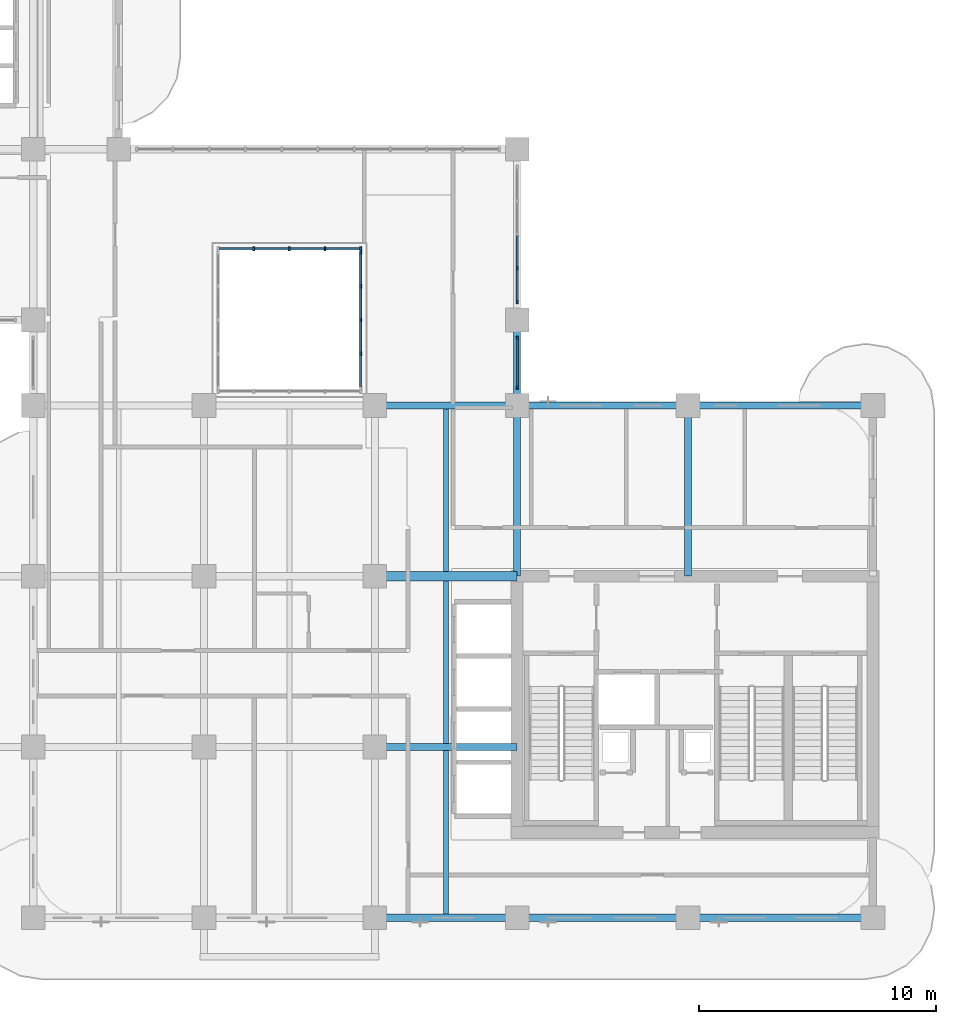
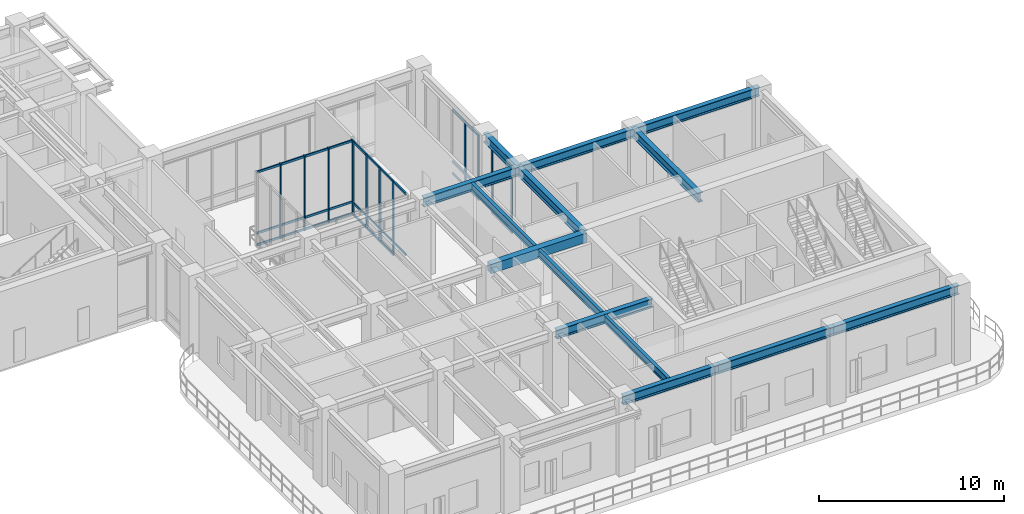
# One storey, part 3 of 21: 44 members, 14 beams, 4 elements without a shape of their own.
"""IFC4 building model written with IfcOpenShell, lengths in metres."""

from ifc_helpers import new_model, si_unit, derived_unit, direction, frame, origin, origin_2d, place, context, subcontext, project, spatial, rectangle, i_section, extrude, source, transform, mapped, material, layer, layer_set, material_profile, profile_set, type_object, type_shapes, element, aggregate, save


model = new_model("IFC4")

# Units and contexts
model_context = context("Model", 3, precision=1e-05, world=origin(), true_north=direction((0.0, 1.0)))
body_context = subcontext(model_context, "Body", "Model", "MODEL_VIEW")
ifc_project = project(units=[si_unit("LENGTHUNIT", "METRE"), si_unit("AREAUNIT", "SQUARE_METRE"), si_unit("VOLUMEUNIT", "CUBIC_METRE"), si_unit("PLANEANGLEUNIT", "RADIAN"), si_unit("MASSUNIT", "GRAM", prefix="KILO"), si_unit("THERMODYNAMICTEMPERATUREUNIT", "KELVIN"), si_unit("POWERUNIT", "WATT"), derived_unit("THERMALTRANSMITTANCEUNIT", [(si_unit("POWERUNIT", "WATT"), 1), (si_unit("AREAUNIT", "SQUARE_METRE"), -1), (si_unit("THERMODYNAMICTEMPERATUREUNIT", "KELVIN"), -1)])], contexts=[model_context])

# Site, building, storey
site_placement = place(None, origin())
site = spatial("IfcSite", under=ifc_project, at=site_placement, CompositionType="ELEMENT")
building_placement = place(site_placement, origin())
building = spatial("IfcBuilding", under=site, at=building_placement, Name="Zahravan Archway Hotel and Residences", CompositionType="ELEMENT")
storey_placement = place(building_placement, frame((0.0, 0.0, 145.10009765625)))
storey = spatial("IfcBuildingStorey", under=building, at=storey_placement, Name="L36", CompositionType="ELEMENT", Elevation=145.10009765625)

# Beams
ifc_material_1 = material(Name="Concrete C60/75", Category="concrete")
ifc_material_profile_1 = material_profile(ifc_material_1, rectangle(XDim=0.39990234375, YDim=0.60009765625, at=origin_2d()), Name="RC-LNT-400x600", Category="concrete")
ifc_profile_set_1 = profile_set([ifc_material_profile_1], Name="Concrete C60/75")
beam_type_1 = type_object("IfcBeamType", Name="LNT-RC-400x600", PredefinedType="LINTEL", material=ifc_profile_set_1)
shared_shape_1 = source(origin(), body_context, "Body", "SweptSolid", [
    extrude(rectangle(XDim=0.39990234375, YDim=0.60009765625, at=origin_2d()), origin(), (0.0, 0.0, 1.0), 6.0),
])
type_shapes(beam_type_1, [shared_shape_1])
beam_1_placement = place(storey_placement, frame((28.800048828125, 14.39990234375, 4.64990234375), z_axis=(1.0, 0.0, 0.0), x_axis=(0.0, 1.0, 0.0)))
element("IfcBeam", 1, at=beam_1_placement, inside=storey, type_object=beam_type_1, Name="L36 Core A Coupling Lintel Beam", PredefinedType="LINTEL", context=body_context, shape_type="MappedRepresentation", body=[
    mapped(shared_shape_1, transform((0.0, 0.0, 0.0), scale=1.0)),
])
ifc_material_2 = material(Name="Structural Steel S355JR", Category="steel")
ifc_material_profile_2 = material_profile(ifc_material_2, i_section(OverallWidth=0.300048828125, OverallDepth=0.60009765625, WebThickness=0.015380859375, FlangeThickness=0.030029296875, FilletRadius=0.027099609375, at=origin_2d()), Name="HEB 600", Category="steel")
ifc_profile_set_2 = profile_set([ifc_material_profile_2], Name="Structural Steel S355JR")
beam_type_2 = type_object("IfcBeamType", Name="BM-PRI-HEB600", PredefinedType="BEAM", material=ifc_profile_set_2)
shared_shape_2 = source(origin(), body_context, "Body", "SweptSolid", [
    extrude(i_section(OverallWidth=0.300048828125, OverallDepth=0.60009765625, WebThickness=0.015380859375, FlangeThickness=0.030029296875, FilletRadius=0.027099609375, at=origin_2d()), origin(), (0.0, 0.0, 1.0), 7.2001953125),
])
type_shapes(beam_type_2, [shared_shape_2])
for number, where, z_axis, x_axis, name in (
    (2, (34.800048828125, 14.39990234375, 4.64990234375), (0.0, 1.0, 0.0), (-1.0, 0.0, 0.0), "L36 Primary Girder NS-41"),
    (3, (42.0, 14.39990234375, 4.64990234375), (0.0, 1.0, 0.0), (-1.0, 0.0, 0.0), "L36 Primary Girder NS-44"),
):
    element("IfcBeam", number, at=place(storey_placement, frame(where, z_axis=z_axis, x_axis=x_axis)), inside=storey, type_object=beam_type_2, Name=name, PredefinedType="BEAM", context=body_context, shape_type="MappedRepresentation", body=[
        mapped(shared_shape_2, transform((0.0, 0.0, 0.0), scale=1.0)),
    ])
shared_shape_3 = source(origin(), body_context, "Body", "SweptSolid", [
    extrude(i_section(OverallWidth=0.300048828125, OverallDepth=0.60009765625, WebThickness=0.015380859375, FlangeThickness=0.030029296875, FilletRadius=0.027099609375, at=origin_2d()), origin(), (0.0, 0.0, 1.0), 7.199951171875),
])
for number, where, z_axis, x_axis, name in (
    (4, (34.800048828125, 0.0, 4.64990234375), (1.0, 0.0, 0.0), (0.0, 1.0, 0.0), "L36 Primary Girder EW-04"),
    (5, (34.800048828125, 21.60009765625, 4.64990234375), (1.0, 0.0, 0.0), (0.0, 1.0, 0.0), "L36 Primary Girder EW-14"),
):
    element("IfcBeam", number, at=place(storey_placement, frame(where, z_axis=z_axis, x_axis=x_axis)), inside=storey, type_object=beam_type_2, Name=name, PredefinedType="BEAM", context=body_context, shape_type="MappedRepresentation", body=[
        mapped(shared_shape_3, transform((0.0, 0.0, 0.0), scale=1.0)),
    ])
shared_shape_4 = source(origin(), body_context, "Body", "SweptSolid", [
    extrude(i_section(OverallWidth=0.300048828125, OverallDepth=0.60009765625, WebThickness=0.015380859375, FlangeThickness=0.030029296875, FilletRadius=0.027099609375, at=origin_2d()), origin(), (0.0, 0.0, 1.0), 6.0),
])
for number, where, z_axis, x_axis, name in (
    (6, (28.800048828125, 0.0, 4.64990234375), (1.0, 0.0, 0.0), (0.0, 1.0, 0.0), "L36 Primary Girder EW-03"),
    (7, (28.800048828125, 7.199951171875, 4.64990234375), (1.0, 0.0, 0.0), (0.0, 1.0, 0.0), "L36 Primary Girder EW-08"),
    (8, (28.800048828125, 21.60009765625, 4.64990234375), (1.0, 0.0, 0.0), (0.0, 1.0, 0.0), "L36 Primary Girder EW-13"),
):
    element("IfcBeam", number, at=place(storey_placement, frame(where, z_axis=z_axis, x_axis=x_axis)), inside=storey, type_object=beam_type_2, Name=name, PredefinedType="BEAM", context=body_context, shape_type="MappedRepresentation", body=[
        mapped(shared_shape_4, transform((0.0, 0.0, 0.0), scale=1.0)),
    ])
shared_shape_5 = source(origin(), body_context, "Body", "SweptSolid", [
    extrude(i_section(OverallWidth=0.300048828125, OverallDepth=0.60009765625, WebThickness=0.015380859375, FlangeThickness=0.030029296875, FilletRadius=0.027099609375, at=origin_2d()), origin(), (0.0, 0.0, 1.0), 7.800048828125),
])
for number, where, z_axis, x_axis, name in (
    (9, (42.0, 0.0, 4.64990234375), (1.0, 0.0, 0.0), (0.0, 1.0, 0.0), "L36 Primary Girder EW-05"),
    (10, (42.0, 21.60009765625, 4.64990234375), (1.0, 0.0, 0.0), (0.0, 1.0, 0.0), "L36 Primary Girder EW-15"),
):
    element("IfcBeam", number, at=place(storey_placement, frame(where, z_axis=z_axis, x_axis=x_axis)), inside=storey, type_object=beam_type_2, Name=name, PredefinedType="BEAM", context=body_context, shape_type="MappedRepresentation", body=[
        mapped(shared_shape_5, transform((0.0, 0.0, 0.0), scale=1.0)),
    ])
shared_shape_6 = source(origin(), body_context, "Body", "SweptSolid", [
    extrude(i_section(OverallWidth=0.300048828125, OverallDepth=0.60009765625, WebThickness=0.015380859375, FlangeThickness=0.030029296875, FilletRadius=0.027099609375, at=origin_2d()), origin(), (0.0, 0.0, 1.0), 3.599853515625),
])
beam_2_placement = place(storey_placement, frame((34.800048828125, 21.60009765625, 4.64990234375), z_axis=(0.0, 1.0, 0.0), x_axis=(-1.0, 0.0, 0.0)))
element("IfcBeam", 11, at=beam_2_placement, inside=storey, type_object=beam_type_2, Name="L36 Primary Girder NS-42", PredefinedType="BEAM", context=body_context, shape_type="MappedRepresentation", body=[
    mapped(shared_shape_6, transform((0.0, 0.0, 0.0), scale=1.0)),
])
ifc_material_profile_3 = material_profile(ifc_material_2, i_section(OverallWidth=0.199951171875, OverallDepth=0.5, WebThickness=0.01025390625, FlangeThickness=0.01611328125, FilletRadius=0.02099609375, at=origin_2d()), Name="IPE 500", Category="steel")
ifc_profile_set_3 = profile_set([ifc_material_profile_3], Name="Structural Steel S355JR")
beam_type_3 = type_object("IfcBeamType", Name="BM-JST-IPE500", PredefinedType="JOIST", material=ifc_profile_set_3)
shared_shape_7 = source(origin(), body_context, "Body", "SweptSolid", [
    extrude(i_section(OverallWidth=0.199951171875, OverallDepth=0.5, WebThickness=0.01025390625, FlangeThickness=0.01611328125, FilletRadius=0.02099609375, at=origin_2d()), origin(), (0.0, 0.0, 1.0), 6.904052734375),
])
type_shapes(beam_type_3, [shared_shape_7])
beam_3_placement = place(storey_placement, frame((31.800048828125, 0.14794921875, 4.699951171875), z_axis=(0.0, 1.0, 0.0), x_axis=(-1.0, 0.0, 0.0)))
element("IfcBeam", 12, at=beam_3_placement, inside=storey, type_object=beam_type_3, Name="L36 Composite Floor Joist 03", PredefinedType="JOIST", context=body_context, shape_type="MappedRepresentation", body=[
    mapped(shared_shape_7, transform((0.0, 0.0, 0.0), scale=1.0)),
])
shared_shape_8 = source(origin(), body_context, "Body", "SweptSolid", [
    extrude(i_section(OverallWidth=0.199951171875, OverallDepth=0.5, WebThickness=0.01025390625, FlangeThickness=0.01611328125, FilletRadius=0.02099609375, at=origin_2d()), origin(), (0.0, 0.0, 1.0), 6.85400390625),
])
for number, where, z_axis, x_axis, name in (
    (13, (31.800048828125, 7.347900390625, 4.699951171875), (0.0, 1.0, 0.0), (-1.0, 0.0, 0.0), "L36 Composite Floor Joist 06"),
    (14, (31.800048828125, 14.597900390625, 4.699951171875), (0.0, 1.0, 0.0), (-1.0, 0.0, 0.0), "L36 Composite Floor Joist 07"),
):
    element("IfcBeam", number, at=place(storey_placement, frame(where, z_axis=z_axis, x_axis=x_axis)), inside=storey, type_object=beam_type_3, Name=name, PredefinedType="JOIST", context=body_context, shape_type="MappedRepresentation", body=[
        mapped(shared_shape_8, transform((0.0, 0.0, 0.0), scale=1.0)),
    ])

# Curtain wall, members
ifc_material_3 = material(Name="Bronze-Anodized Unitised Aluminium & Low-E Glass", Category="aluminium")
ifc_layer_1 = layer(ifc_material_3, 0.179931640625, Name="Bronze-Anodized Unitised Aluminium & Low-E Glass", Category="aluminium")
ifc_layer_set_1 = layer_set([ifc_layer_1], Name="Bronze-Anodized Unitised Aluminium & Low-E Glass")
curtain_wall_type_1 = type_object("IfcCurtainWallType", Name="CW-SBG-2", PredefinedType="NOTDEFINED", material=ifc_layer_set_1)
curtain_wall_1_placement = place(storey_placement, origin())
curtain_wall_1 = element("IfcCurtainWall", 15, at=curtain_wall_1_placement, inside=storey, type_object=curtain_wall_type_1, Name="L36 Curtain Wall CW-L36-HNG-E-2", PredefinedType="NOTDEFINED")
ifc_material_4 = material(Name="Bronze-Anodized Extruded Aluminium", Category="aluminium")
ifc_material_profile_4 = material_profile(ifc_material_4, rectangle(XDim=0.080078125, YDim=0.139892578125, at=origin_2d()), Name="TRN 80x140", Category="aluminium")
ifc_profile_set_4 = profile_set([ifc_material_profile_4], Name="Bronze-Anodized Extruded Aluminium")
member_type_1 = type_object("IfcMemberType", Name="CWM-TRN-140", PredefinedType="USERDEFINED", material=ifc_profile_set_4)
shared_shape_9 = source(origin(), body_context, "Body", "SweptSolid", [
    extrude(rectangle(XDim=0.080078125, YDim=0.139892578125, at=origin_2d()), origin(), (0.0, 0.0, 1.0), 1.340087890625),
])
member_1_placement = place(storey_placement, frame((34.800048828125, 26.0, 0.06982421875), z_axis=(0.0, 1.0, 0.0), x_axis=(-1.0, 0.0, 0.0)))
member_1 = element("IfcMember", 16, at=member_1_placement, type_object=member_type_1, Name="CW-L36-HNG-E-2 Transom 0-1", ObjectType="TRANSOM", PredefinedType="USERDEFINED", context=body_context, shape_type="MappedRepresentation", body=[
    mapped(shared_shape_9, transform((0.0, 0.0, 0.0), scale=1.0)),
])
member_2_placement = place(storey_placement, frame((34.800048828125, 26.0, 0.849853515625), z_axis=(0.0, 1.0, 0.0), x_axis=(-1.0, 0.0, 0.0)))
member_2 = element("IfcMember", 17, at=member_2_placement, type_object=member_type_1, Name="CW-L36-HNG-E-2 Transom 0-2", ObjectType="TRANSOM", PredefinedType="USERDEFINED", context=body_context, shape_type="MappedRepresentation", body=[
    mapped(shared_shape_9, transform((0.0, 0.0, 0.0), scale=1.0)),
])
member_3_placement = place(storey_placement, frame((34.800048828125, 26.0, 4.264892578125), z_axis=(0.0, 1.0, 0.0), x_axis=(-1.0, 0.0, 0.0)))
member_3 = element("IfcMember", 18, at=member_3_placement, type_object=member_type_1, Name="CW-L36-HNG-E-2 Transom 0-3", ObjectType="TRANSOM", PredefinedType="USERDEFINED", context=body_context, shape_type="MappedRepresentation", body=[
    mapped(shared_shape_9, transform((0.0, 0.0, 0.0), scale=1.0)),
])
member_4_placement = place(storey_placement, frame((34.800048828125, 27.419921875, 0.06982421875), z_axis=(0.0, 1.0, 0.0), x_axis=(-1.0, 0.0, 0.0)))
member_4 = element("IfcMember", 19, at=member_4_placement, type_object=member_type_1, Name="CW-L36-HNG-E-2 Transom 1-1", ObjectType="TRANSOM", PredefinedType="USERDEFINED", context=body_context, shape_type="MappedRepresentation", body=[
    mapped(shared_shape_9, transform((0.0, 0.0, 0.0), scale=1.0)),
])
member_5_placement = place(storey_placement, frame((34.800048828125, 27.419921875, 0.849853515625), z_axis=(0.0, 1.0, 0.0), x_axis=(-1.0, 0.0, 0.0)))
member_5 = element("IfcMember", 20, at=member_5_placement, type_object=member_type_1, Name="CW-L36-HNG-E-2 Transom 1-2", ObjectType="TRANSOM", PredefinedType="USERDEFINED", context=body_context, shape_type="MappedRepresentation", body=[
    mapped(shared_shape_9, transform((0.0, 0.0, 0.0), scale=1.0)),
])
member_6_placement = place(storey_placement, frame((34.800048828125, 27.419921875, 4.264892578125), z_axis=(0.0, 1.0, 0.0), x_axis=(-1.0, 0.0, 0.0)))
member_6 = element("IfcMember", 21, at=member_6_placement, type_object=member_type_1, Name="CW-L36-HNG-E-2 Transom 1-3", ObjectType="TRANSOM", PredefinedType="USERDEFINED", context=body_context, shape_type="MappedRepresentation", body=[
    mapped(shared_shape_9, transform((0.0, 0.0, 0.0), scale=1.0)),
])

curtain_wall_2_placement = place(storey_placement, origin())
curtain_wall_2 = element("IfcCurtainWall", 22, at=curtain_wall_2_placement, inside=storey, type_object=curtain_wall_type_1, Name="L36 Curtain Wall CW-L36-HNG-E-1", PredefinedType="NOTDEFINED")
shared_shape_10 = source(origin(), body_context, "Body", "SweptSolid", [
    extrude(rectangle(XDim=0.080078125, YDim=0.139892578125, at=origin_2d()), origin(), (0.0, 0.0, 1.0), 2.0),
])
member_7_placement = place(storey_placement, frame((34.800048828125, 22.39990234375, 0.06982421875), z_axis=(0.0, 1.0, 0.0), x_axis=(-1.0, 0.0, 0.0)))
member_7 = element("IfcMember", 23, at=member_7_placement, type_object=member_type_1, Name="CW-L36-HNG-E-1 Transom 0-1", ObjectType="TRANSOM", PredefinedType="USERDEFINED", context=body_context, shape_type="MappedRepresentation", body=[
    mapped(shared_shape_10, transform((0.0, 0.0, 0.0), scale=1.0)),
])
member_8_placement = place(storey_placement, frame((34.800048828125, 22.39990234375, 0.849853515625), z_axis=(0.0, 1.0, 0.0), x_axis=(-1.0, 0.0, 0.0)))
member_8 = element("IfcMember", 24, at=member_8_placement, type_object=member_type_1, Name="CW-L36-HNG-E-1 Transom 0-2", ObjectType="TRANSOM", PredefinedType="USERDEFINED", context=body_context, shape_type="MappedRepresentation", body=[
    mapped(shared_shape_10, transform((0.0, 0.0, 0.0), scale=1.0)),
])
member_9_placement = place(storey_placement, frame((34.800048828125, 22.39990234375, 4.264892578125), z_axis=(0.0, 1.0, 0.0), x_axis=(-1.0, 0.0, 0.0)))
member_9 = element("IfcMember", 25, at=member_9_placement, type_object=member_type_1, Name="CW-L36-HNG-E-1 Transom 0-3", ObjectType="TRANSOM", PredefinedType="USERDEFINED", context=body_context, shape_type="MappedRepresentation", body=[
    mapped(shared_shape_10, transform((0.0, 0.0, 0.0), scale=1.0)),
])

ifc_layer_2 = layer(ifc_material_3, 0.179931640625, Name="Bronze-Anodized Unitised Aluminium & Low-E Glass", Category="aluminium")
ifc_layer_set_2 = layer_set([ifc_layer_2], Name="Bronze-Anodized Unitised Aluminium & Low-E Glass")
curtain_wall_type_2 = type_object("IfcCurtainWallType", Name="CW-ATR-GLAZ", PredefinedType="NOTDEFINED", material=ifc_layer_set_2)
curtain_wall_3_placement = place(storey_placement, origin())
curtain_wall_3 = element("IfcCurtainWall", 26, at=curtain_wall_3_placement, inside=storey, type_object=curtain_wall_type_2, Name="L36 Curtain Wall CW-ATR-L36-N-1", PredefinedType="NOTDEFINED")
shared_shape_11 = source(origin(), body_context, "Body", "SweptSolid", [
    extrude(rectangle(XDim=0.080078125, YDim=0.139892578125, at=origin_2d()), origin(), (0.0, 0.0, 1.0), 1.419921875),
])
member_10_placement = place(storey_placement, frame((22.239990234375, 28.199951171875, 0.06982421875), z_axis=(1.0, 0.0, 0.0), x_axis=(0.0, 1.0, 0.0)))
member_10 = element("IfcMember", 27, at=member_10_placement, type_object=member_type_1, Name="CW-ATR-L36-N-1 Transom 0-1", ObjectType="TRANSOM", PredefinedType="USERDEFINED", context=body_context, shape_type="MappedRepresentation", body=[
    mapped(shared_shape_11, transform((0.0, 0.0, 0.0), scale=1.0)),
])
member_11_placement = place(storey_placement, frame((22.239990234375, 28.199951171875, 0.849853515625), z_axis=(1.0, 0.0, 0.0), x_axis=(0.0, 1.0, 0.0)))
member_11 = element("IfcMember", 28, at=member_11_placement, type_object=member_type_1, Name="CW-ATR-L36-N-1 Transom 0-2", ObjectType="TRANSOM", PredefinedType="USERDEFINED", context=body_context, shape_type="MappedRepresentation", body=[
    mapped(shared_shape_11, transform((0.0, 0.0, 0.0), scale=1.0)),
])
member_12_placement = place(storey_placement, frame((22.239990234375, 28.199951171875, 4.8798828125), z_axis=(1.0, 0.0, 0.0), x_axis=(0.0, 1.0, 0.0)))
member_12 = element("IfcMember", 29, at=member_12_placement, type_object=member_type_1, Name="CW-ATR-L36-N-1 Transom 0-3", ObjectType="TRANSOM", PredefinedType="USERDEFINED", context=body_context, shape_type="MappedRepresentation", body=[
    mapped(shared_shape_11, transform((0.0, 0.0, 0.0), scale=1.0)),
])
member_13_placement = place(storey_placement, frame((23.739990234375, 28.199951171875, 0.06982421875), z_axis=(1.0, 0.0, 0.0), x_axis=(0.0, 1.0, 0.0)))
member_13 = element("IfcMember", 30, at=member_13_placement, type_object=member_type_1, Name="CW-ATR-L36-N-1 Transom 1-1", ObjectType="TRANSOM", PredefinedType="USERDEFINED", context=body_context, shape_type="MappedRepresentation", body=[
    mapped(shared_shape_11, transform((0.0, 0.0, 0.0), scale=1.0)),
])
member_14_placement = place(storey_placement, frame((23.739990234375, 28.199951171875, 0.849853515625), z_axis=(1.0, 0.0, 0.0), x_axis=(0.0, 1.0, 0.0)))
member_14 = element("IfcMember", 31, at=member_14_placement, type_object=member_type_1, Name="CW-ATR-L36-N-1 Transom 1-2", ObjectType="TRANSOM", PredefinedType="USERDEFINED", context=body_context, shape_type="MappedRepresentation", body=[
    mapped(shared_shape_11, transform((0.0, 0.0, 0.0), scale=1.0)),
])
member_15_placement = place(storey_placement, frame((23.739990234375, 28.199951171875, 4.8798828125), z_axis=(1.0, 0.0, 0.0), x_axis=(0.0, 1.0, 0.0)))
member_15 = element("IfcMember", 32, at=member_15_placement, type_object=member_type_1, Name="CW-ATR-L36-N-1 Transom 1-3", ObjectType="TRANSOM", PredefinedType="USERDEFINED", context=body_context, shape_type="MappedRepresentation", body=[
    mapped(shared_shape_11, transform((0.0, 0.0, 0.0), scale=1.0)),
])
member_16_placement = place(storey_placement, frame((25.239990234375, 28.199951171875, 0.06982421875), z_axis=(1.0, 0.0, 0.0), x_axis=(0.0, 1.0, 0.0)))
member_16 = element("IfcMember", 33, at=member_16_placement, type_object=member_type_1, Name="CW-ATR-L36-N-1 Transom 2-1", ObjectType="TRANSOM", PredefinedType="USERDEFINED", context=body_context, shape_type="MappedRepresentation", body=[
    mapped(shared_shape_11, transform((0.0, 0.0, 0.0), scale=1.0)),
])
member_17_placement = place(storey_placement, frame((25.239990234375, 28.199951171875, 0.849853515625), z_axis=(1.0, 0.0, 0.0), x_axis=(0.0, 1.0, 0.0)))
member_17 = element("IfcMember", 34, at=member_17_placement, type_object=member_type_1, Name="CW-ATR-L36-N-1 Transom 2-2", ObjectType="TRANSOM", PredefinedType="USERDEFINED", context=body_context, shape_type="MappedRepresentation", body=[
    mapped(shared_shape_11, transform((0.0, 0.0, 0.0), scale=1.0)),
])
member_18_placement = place(storey_placement, frame((25.239990234375, 28.199951171875, 4.8798828125), z_axis=(1.0, 0.0, 0.0), x_axis=(0.0, 1.0, 0.0)))
member_18 = element("IfcMember", 35, at=member_18_placement, type_object=member_type_1, Name="CW-ATR-L36-N-1 Transom 2-3", ObjectType="TRANSOM", PredefinedType="USERDEFINED", context=body_context, shape_type="MappedRepresentation", body=[
    mapped(shared_shape_11, transform((0.0, 0.0, 0.0), scale=1.0)),
])
member_19_placement = place(storey_placement, frame((26.739990234375, 28.199951171875, 0.06982421875), z_axis=(1.0, 0.0, 0.0), x_axis=(0.0, 1.0, 0.0)))
member_19 = element("IfcMember", 36, at=member_19_placement, type_object=member_type_1, Name="CW-ATR-L36-N-1 Transom 3-1", ObjectType="TRANSOM", PredefinedType="USERDEFINED", context=body_context, shape_type="MappedRepresentation", body=[
    mapped(shared_shape_11, transform((0.0, 0.0, 0.0), scale=1.0)),
])
member_20_placement = place(storey_placement, frame((26.739990234375, 28.199951171875, 0.849853515625), z_axis=(1.0, 0.0, 0.0), x_axis=(0.0, 1.0, 0.0)))
member_20 = element("IfcMember", 37, at=member_20_placement, type_object=member_type_1, Name="CW-ATR-L36-N-1 Transom 3-2", ObjectType="TRANSOM", PredefinedType="USERDEFINED", context=body_context, shape_type="MappedRepresentation", body=[
    mapped(shared_shape_11, transform((0.0, 0.0, 0.0), scale=1.0)),
])
member_21_placement = place(storey_placement, frame((26.739990234375, 28.199951171875, 4.8798828125), z_axis=(1.0, 0.0, 0.0), x_axis=(0.0, 1.0, 0.0)))
member_21 = element("IfcMember", 38, at=member_21_placement, type_object=member_type_1, Name="CW-ATR-L36-N-1 Transom 3-3", ObjectType="TRANSOM", PredefinedType="USERDEFINED", context=body_context, shape_type="MappedRepresentation", body=[
    mapped(shared_shape_11, transform((0.0, 0.0, 0.0), scale=1.0)),
])

curtain_wall_4_placement = place(storey_placement, origin())
curtain_wall_4 = element("IfcCurtainWall", 39, at=curtain_wall_4_placement, inside=storey, type_object=curtain_wall_type_2, Name="L36 Curtain Wall CW-ATR-L36-E-1", PredefinedType="NOTDEFINED")
shared_shape_12 = source(origin(), body_context, "Body", "SweptSolid", [
    extrude(rectangle(XDim=0.080078125, YDim=0.139892578125, at=origin_2d()), origin(), (0.0, 0.0, 1.0), 1.34521484375),
])
member_22_placement = place(storey_placement, frame((28.199951171875, 22.389892578125, 0.849853515625), z_axis=(0.0, 1.0, 0.0), x_axis=(-1.0, 0.0, 0.0)))
member_22 = element("IfcMember", 40, at=member_22_placement, type_object=member_type_1, Name="CW-ATR-L36-E-1 Transom 0-2", ObjectType="TRANSOM", PredefinedType="USERDEFINED", context=body_context, shape_type="MappedRepresentation", body=[
    mapped(shared_shape_12, transform((0.0, 0.0, 0.0), scale=1.0)),
])
member_23_placement = place(storey_placement, frame((28.199951171875, 22.389892578125, 4.8798828125), z_axis=(0.0, 1.0, 0.0), x_axis=(-1.0, 0.0, 0.0)))
member_23 = element("IfcMember", 41, at=member_23_placement, type_object=member_type_1, Name="CW-ATR-L36-E-1 Transom 0-3", ObjectType="TRANSOM", PredefinedType="USERDEFINED", context=body_context, shape_type="MappedRepresentation", body=[
    mapped(shared_shape_12, transform((0.0, 0.0, 0.0), scale=1.0)),
])
shared_shape_13 = source(origin(), body_context, "Body", "SweptSolid", [
    extrude(rectangle(XDim=0.080078125, YDim=0.139892578125, at=origin_2d()), origin(), (0.0, 0.0, 1.0), 1.344970703125),
])
member_24_placement = place(storey_placement, frame((28.199951171875, 23.81494140625, 0.06982421875), z_axis=(0.0, 1.0, 0.0), x_axis=(-1.0, 0.0, 0.0)))
member_24 = element("IfcMember", 42, at=member_24_placement, type_object=member_type_1, Name="CW-ATR-L36-E-1 Transom 1-1", ObjectType="TRANSOM", PredefinedType="USERDEFINED", context=body_context, shape_type="MappedRepresentation", body=[
    mapped(shared_shape_13, transform((0.0, 0.0, 0.0), scale=1.0)),
])
member_25_placement = place(storey_placement, frame((28.199951171875, 23.81494140625, 0.849853515625), z_axis=(0.0, 1.0, 0.0), x_axis=(-1.0, 0.0, 0.0)))
member_25 = element("IfcMember", 43, at=member_25_placement, type_object=member_type_1, Name="CW-ATR-L36-E-1 Transom 1-2", ObjectType="TRANSOM", PredefinedType="USERDEFINED", context=body_context, shape_type="MappedRepresentation", body=[
    mapped(shared_shape_13, transform((0.0, 0.0, 0.0), scale=1.0)),
])
member_26_placement = place(storey_placement, frame((28.199951171875, 23.81494140625, 4.8798828125), z_axis=(0.0, 1.0, 0.0), x_axis=(-1.0, 0.0, 0.0)))
member_26 = element("IfcMember", 44, at=member_26_placement, type_object=member_type_1, Name="CW-ATR-L36-E-1 Transom 1-3", ObjectType="TRANSOM", PredefinedType="USERDEFINED", context=body_context, shape_type="MappedRepresentation", body=[
    mapped(shared_shape_13, transform((0.0, 0.0, 0.0), scale=1.0)),
])
member_27_placement = place(storey_placement, frame((28.199951171875, 25.239990234375, 0.06982421875), z_axis=(0.0, 1.0, 0.0), x_axis=(-1.0, 0.0, 0.0)))
member_27 = element("IfcMember", 45, at=member_27_placement, type_object=member_type_1, Name="CW-ATR-L36-E-1 Transom 2-1", ObjectType="TRANSOM", PredefinedType="USERDEFINED", context=body_context, shape_type="MappedRepresentation", body=[
    mapped(shared_shape_13, transform((0.0, 0.0, 0.0), scale=1.0)),
])
member_28_placement = place(storey_placement, frame((28.199951171875, 25.239990234375, 0.849853515625), z_axis=(0.0, 1.0, 0.0), x_axis=(-1.0, 0.0, 0.0)))
member_28 = element("IfcMember", 46, at=member_28_placement, type_object=member_type_1, Name="CW-ATR-L36-E-1 Transom 2-2", ObjectType="TRANSOM", PredefinedType="USERDEFINED", context=body_context, shape_type="MappedRepresentation", body=[
    mapped(shared_shape_13, transform((0.0, 0.0, 0.0), scale=1.0)),
])
member_29_placement = place(storey_placement, frame((28.199951171875, 25.239990234375, 4.8798828125), z_axis=(0.0, 1.0, 0.0), x_axis=(-1.0, 0.0, 0.0)))
member_29 = element("IfcMember", 47, at=member_29_placement, type_object=member_type_1, Name="CW-ATR-L36-E-1 Transom 2-3", ObjectType="TRANSOM", PredefinedType="USERDEFINED", context=body_context, shape_type="MappedRepresentation", body=[
    mapped(shared_shape_13, transform((0.0, 0.0, 0.0), scale=1.0)),
])
member_30_placement = place(storey_placement, frame((28.199951171875, 26.6650390625, 0.06982421875), z_axis=(0.0, 1.0, 0.0), x_axis=(-1.0, 0.0, 0.0)))
member_30 = element("IfcMember", 48, at=member_30_placement, type_object=member_type_1, Name="CW-ATR-L36-E-1 Transom 3-1", ObjectType="TRANSOM", PredefinedType="USERDEFINED", context=body_context, shape_type="MappedRepresentation", body=[
    mapped(shared_shape_13, transform((0.0, 0.0, 0.0), scale=1.0)),
])
member_31_placement = place(storey_placement, frame((28.199951171875, 26.6650390625, 0.849853515625), z_axis=(0.0, 1.0, 0.0), x_axis=(-1.0, 0.0, 0.0)))
member_31 = element("IfcMember", 49, at=member_31_placement, type_object=member_type_1, Name="CW-ATR-L36-E-1 Transom 3-2", ObjectType="TRANSOM", PredefinedType="USERDEFINED", context=body_context, shape_type="MappedRepresentation", body=[
    mapped(shared_shape_13, transform((0.0, 0.0, 0.0), scale=1.0)),
])
member_32_placement = place(storey_placement, frame((28.199951171875, 26.6650390625, 4.8798828125), z_axis=(0.0, 1.0, 0.0), x_axis=(-1.0, 0.0, 0.0)))
member_32 = element("IfcMember", 50, at=member_32_placement, type_object=member_type_1, Name="CW-ATR-L36-E-1 Transom 3-3", ObjectType="TRANSOM", PredefinedType="USERDEFINED", context=body_context, shape_type="MappedRepresentation", body=[
    mapped(shared_shape_13, transform((0.0, 0.0, 0.0), scale=1.0)),
])

# Member
ifc_material_profile_5 = material_profile(ifc_material_4, rectangle(XDim=0.080078125, YDim=0.159912109375, at=origin_2d()), Name="MUL 80x160", Category="aluminium")
ifc_profile_set_5 = profile_set([ifc_material_profile_5], Name="Bronze-Anodized Extruded Aluminium")
member_type_2 = type_object("IfcMemberType", Name="CWM-MUL-160", PredefinedType="MULLION", material=ifc_profile_set_5)
shared_shape_14 = source(origin(), body_context, "Body", "SweptSolid", [
    extrude(rectangle(XDim=0.080078125, YDim=0.159912109375, at=origin_2d()), origin(), (0.0, 0.0, 1.0), 4.3349609375),
])
member_33_placement = place(storey_placement, frame((34.800048828125, 22.360107421875, 0.0), z_axis=(0.0, 0.0, 1.0), x_axis=(1.0, 0.0, 0.0)))
member_33 = element("IfcMember", 51, at=member_33_placement, type_object=member_type_2, Name="CW-L36-HNG-E-1 Mullion 0", PredefinedType="MULLION", context=body_context, shape_type="MappedRepresentation", body=[
    mapped(shared_shape_14, transform((0.0, 0.0, 0.0), scale=1.0)),
])

member_34_placement = place(storey_placement, frame((34.800048828125, 24.43994140625, 0.0), z_axis=(0.0, 0.0, 1.0), x_axis=(1.0, 0.0, 0.0)))
member_34 = element("IfcMember", 52, at=member_34_placement, type_object=member_type_2, Name="CW-L36-HNG-E-1 Mullion 1", PredefinedType="MULLION", context=body_context, shape_type="MappedRepresentation", body=[
    mapped(shared_shape_14, transform((0.0, 0.0, 0.0), scale=1.0)),
])

aggregate(curtain_wall_2, [member_33, member_34, member_7, member_8, member_9])

member_35_placement = place(storey_placement, frame((34.800048828125, 25.9599609375, 0.0), z_axis=(0.0, 0.0, 1.0), x_axis=(1.0, 0.0, 0.0)))
member_35 = element("IfcMember", 53, at=member_35_placement, type_object=member_type_2, Name="CW-L36-HNG-E-2 Mullion 0", PredefinedType="MULLION", context=body_context, shape_type="MappedRepresentation", body=[
    mapped(shared_shape_14, transform((0.0, 0.0, 0.0), scale=1.0)),
])

member_36_placement = place(storey_placement, frame((34.800048828125, 27.3798828125, 0.0), z_axis=(0.0, 0.0, 1.0), x_axis=(1.0, 0.0, 0.0)))
member_36 = element("IfcMember", 54, at=member_36_placement, type_object=member_type_2, Name="CW-L36-HNG-E-2 Mullion 1", PredefinedType="MULLION", context=body_context, shape_type="MappedRepresentation", body=[
    mapped(shared_shape_14, transform((0.0, 0.0, 0.0), scale=1.0)),
])

aggregate(curtain_wall_1, [member_35, member_36, member_1, member_2, member_3, member_4, member_5, member_6])

shared_shape_15 = source(origin(), body_context, "Body", "SweptSolid", [
    extrude(rectangle(XDim=0.080078125, YDim=0.159912109375, at=origin_2d()), origin(), (0.0, 0.0, 1.0), 4.949951171875),
])
member_37_placement = place(storey_placement, frame((23.699951171875, 28.199951171875, 0.0), z_axis=(0.0, 0.0, 1.0), x_axis=(1.0, 0.0, 0.0)))
member_37 = element("IfcMember", 55, at=member_37_placement, type_object=member_type_2, Name="CW-ATR-L36-N-1 Mullion 1", PredefinedType="MULLION", context=body_context, shape_type="MappedRepresentation", body=[
    mapped(shared_shape_15, transform((0.0, 0.0, 0.0), scale=1.0)),
])

member_38_placement = place(storey_placement, frame((25.199951171875, 28.199951171875, 0.0), z_axis=(0.0, 0.0, 1.0), x_axis=(1.0, 0.0, 0.0)))
member_38 = element("IfcMember", 56, at=member_38_placement, type_object=member_type_2, Name="CW-ATR-L36-N-1 Mullion 2", PredefinedType="MULLION", context=body_context, shape_type="MappedRepresentation", body=[
    mapped(shared_shape_15, transform((0.0, 0.0, 0.0), scale=1.0)),
])

member_39_placement = place(storey_placement, frame((26.699951171875, 28.199951171875, 0.0), z_axis=(0.0, 0.0, 1.0), x_axis=(1.0, 0.0, 0.0)))
member_39 = element("IfcMember", 57, at=member_39_placement, type_object=member_type_2, Name="CW-ATR-L36-N-1 Mullion 3", PredefinedType="MULLION", context=body_context, shape_type="MappedRepresentation", body=[
    mapped(shared_shape_15, transform((0.0, 0.0, 0.0), scale=1.0)),
])

member_40_placement = place(storey_placement, frame((28.199951171875, 28.199951171875, 0.0), z_axis=(0.0, 0.0, 1.0), x_axis=(1.0, 0.0, 0.0)))
member_40 = element("IfcMember", 58, at=member_40_placement, type_object=member_type_2, Name="CW-ATR-L36-N-1 Mullion 4", PredefinedType="MULLION", context=body_context, shape_type="MappedRepresentation", body=[
    mapped(shared_shape_15, transform((0.0, 0.0, 0.0), scale=1.0)),
])

aggregate(curtain_wall_3, [member_37, member_38, member_39, member_40, member_10, member_11, member_12, member_13, member_14, member_15, member_16, member_17, member_18, member_19, member_20, member_21])

member_41_placement = place(storey_placement, frame((28.199951171875, 23.77490234375, 0.0), z_axis=(0.0, 0.0, 1.0), x_axis=(1.0, 0.0, 0.0)))
member_41 = element("IfcMember", 59, at=member_41_placement, type_object=member_type_2, Name="CW-ATR-L36-E-1 Mullion 1", PredefinedType="MULLION", context=body_context, shape_type="MappedRepresentation", body=[
    mapped(shared_shape_15, transform((0.0, 0.0, 0.0), scale=1.0)),
])

member_42_placement = place(storey_placement, frame((28.199951171875, 25.199951171875, 0.0), z_axis=(0.0, 0.0, 1.0), x_axis=(1.0, 0.0, 0.0)))
member_42 = element("IfcMember", 60, at=member_42_placement, type_object=member_type_2, Name="CW-ATR-L36-E-1 Mullion 2", PredefinedType="MULLION", context=body_context, shape_type="MappedRepresentation", body=[
    mapped(shared_shape_15, transform((0.0, 0.0, 0.0), scale=1.0)),
])

member_43_placement = place(storey_placement, frame((28.199951171875, 26.625, 0.0), z_axis=(0.0, 0.0, 1.0), x_axis=(1.0, 0.0, 0.0)))
member_43 = element("IfcMember", 61, at=member_43_placement, type_object=member_type_2, Name="CW-ATR-L36-E-1 Mullion 3", PredefinedType="MULLION", context=body_context, shape_type="MappedRepresentation", body=[
    mapped(shared_shape_15, transform((0.0, 0.0, 0.0), scale=1.0)),
])

member_44_placement = place(storey_placement, frame((28.199951171875, 28.050048828125, 0.0), z_axis=(0.0, 0.0, 1.0), x_axis=(1.0, 0.0, 0.0)))
member_44 = element("IfcMember", 62, at=member_44_placement, type_object=member_type_2, Name="CW-ATR-L36-E-1 Mullion 4", PredefinedType="MULLION", context=body_context, shape_type="MappedRepresentation", body=[
    mapped(shared_shape_15, transform((0.0, 0.0, 0.0), scale=1.0)),
])

aggregate(curtain_wall_4, [member_41, member_42, member_43, member_44, member_22, member_23, member_24, member_25, member_26, member_27, member_28, member_29, member_30, member_31, member_32])

save(model, "model.ifc")
